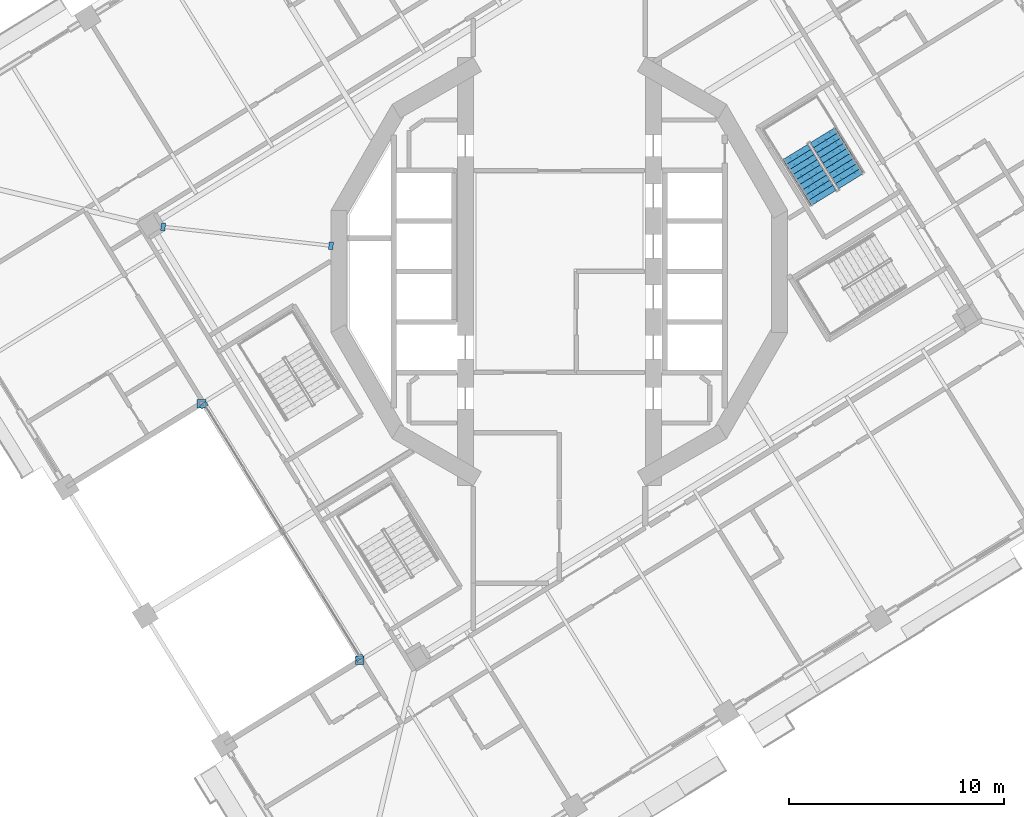
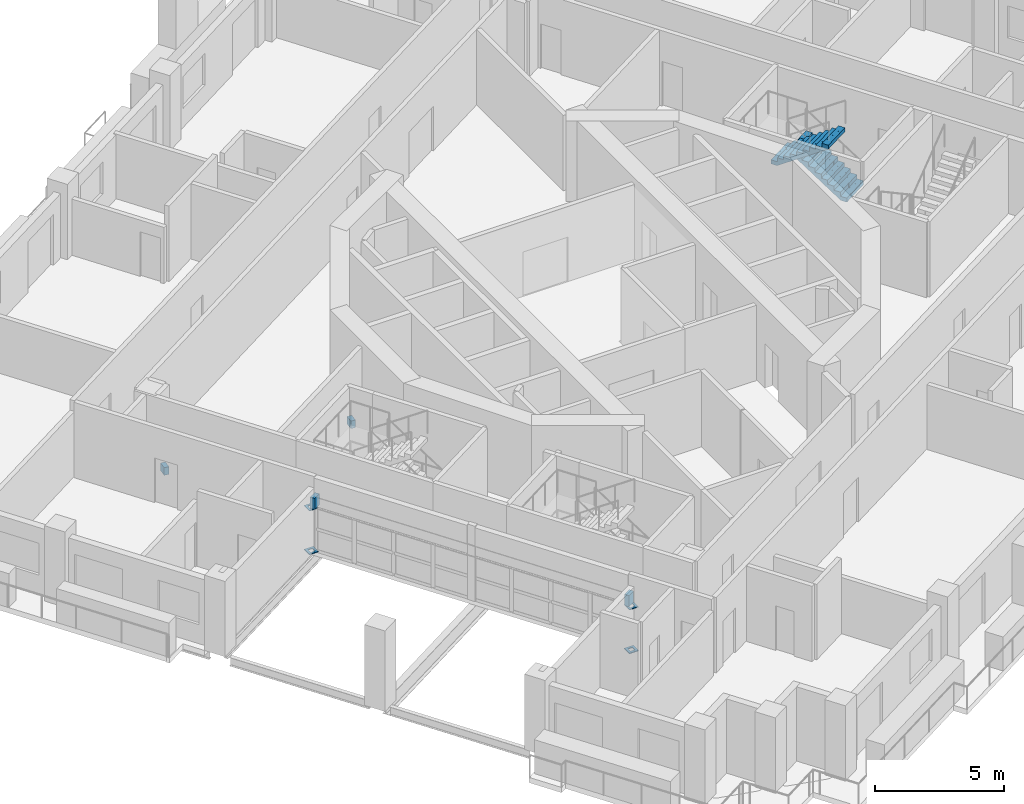
# One storey, part 14 of 22: 8 discrete accessories, 2 stair flights, 1 element without a shape of its own.
"""IFC4 building model written with IfcOpenShell, lengths in metres."""

import ifcopenshell
import ifcopenshell.guid

model = None  # the IFC model being written
_history = None  # IfcOwnerHistory: only IFC2X3 demands one
_inside = {}  # id of a spatial element -> (the spatial element, [elements in it])
_under = {}  # id of a project, library or spatial element -> (it, [spatial elements below it])
_declared = {}  # id of a project -> (the project, [libraries it declares])
_typed = {}  # id of a type object -> (the type object, [elements of that type])
_made_of = {}  # id of a material, layer set ... -> (it, [elements and type objects made of it])


def new_model(schema):
    """Start an empty IFC model of exactly this schema.

    Asked for "IFC4X3", IfcOpenShell would pick the latest addendum, in which some entities
    have other attributes; the version numbers below select the first issue.
    IFC2X3 requires an IfcOwnerHistory on every rooted entity: one is made here for all.
    """
    global model, _history
    if schema == "IFC4X3":
        model = ifcopenshell.file(schema_version=(4, 3, 0, 0))
    else:
        model = ifcopenshell.file(schema=schema)
    _inside.clear()
    _under.clear()
    _declared.clear()
    _typed.clear()
    _made_of.clear()
    _history = None
    if model.schema == "IFC2X3":
        org = make("IfcOrganization", Name="unknown")
        user = make(
            "IfcPersonAndOrganization",
            ThePerson=make("IfcPerson", FamilyName="unknown"),
            TheOrganization=org,
        )
        app = make(
            "IfcApplication",
            ApplicationDeveloper=org,
            Version="unknown",
            ApplicationFullName="unknown",
            ApplicationIdentifier="unknown",
        )
        _history = make(
            "IfcOwnerHistory",
            OwningUser=user,
            OwningApplication=app,
            ChangeAction="ADDED",
            CreationDate=0,
        )
    return model


def make(cls, **values):
    """One entity of the class cls with the attributes given. An attribute that is None is left unset."""
    return model.create_entity(
        cls, **{name: value for name, value in values.items() if value is not None}
    )


def rooted(cls, **values):
    """An entity with a GlobalId (a new one), such as an element, a storey or a relation."""
    return make(cls, GlobalId=ifcopenshell.guid.new(), OwnerHistory=_history, **values)


def si_unit(unit_type, name, prefix=None):
    """IfcSIUnit, for example si_unit("LENGTHUNIT", "METRE", prefix="MILLI")."""
    return make("IfcSIUnit", UnitType=unit_type, Prefix=prefix, Name=name)


def assignment(units):
    """IfcUnitAssignment: the units of a project."""
    return None if units is None else make("IfcUnitAssignment", Units=units)


def point(xyz):
    """IfcCartesianPoint."""
    return None if xyz is None else make("IfcCartesianPoint", Coordinates=xyz)


def direction(xyz):
    """IfcDirection."""
    return None if xyz is None else make("IfcDirection", DirectionRatios=xyz)


def frame(location, z_axis=None, x_axis=None):
    """IfcAxis2Placement3D, a coordinate frame: its origin and axes. An axis left out is left unset."""
    return make(
        "IfcAxis2Placement3D",
        Location=point(location),
        Axis=direction(z_axis),
        RefDirection=direction(x_axis),
    )


def origin():
    """The frame at (0, 0, 0) with its axes left unset."""
    return frame((0.0, 0.0, 0.0))


def place(relative_to, where):
    """IfcLocalPlacement: puts the frame where relative to a parent placement (None: the world)."""
    return make(
        "IfcLocalPlacement", PlacementRelTo=relative_to, RelativePlacement=where
    )


def context(
    kind, dimensions, precision=None, world=None, true_north=None, identifier=None
):
    """IfcGeometricRepresentationContext, for example the 3D "Model" context."""
    return make(
        "IfcGeometricRepresentationContext",
        ContextIdentifier=identifier,
        ContextType=kind,
        CoordinateSpaceDimension=dimensions,
        Precision=precision,
        WorldCoordinateSystem=world,
        TrueNorth=true_north,
    )


def subcontext(parent, identifier, kind, view, scale=None):
    """IfcGeometricRepresentationSubContext, for example "Body" below "Model"."""
    return make(
        "IfcGeometricRepresentationSubContext",
        ContextIdentifier=identifier,
        ContextType=kind,
        ParentContext=parent,
        TargetScale=scale,
        TargetView=view,
    )


def project(units=None, contexts=None):
    """IfcProject with its units and contexts."""
    return rooted(
        "IfcProject",
        Name="project",
        RepresentationContexts=contexts,
        UnitsInContext=assignment(units),
    )


def spatial(cls, under=None, at=None, **own):
    """A site, building, storey or space (cls), placed at a placement, below another one or the project."""
    s = rooted(cls, ObjectPlacement=at, **own)
    if under is not None:
        _under.setdefault(under.id(), (under, []))[1].append(s)
    return s


def polyline(points):
    """IfcPolyline through the points."""
    return make("IfcPolyline", Points=[point(p) for p in points])


def outline(outer, holes=None, kind="AREA"):
    """IfcArbitraryClosedProfileDef: a profile drawn as a closed curve; with holes, ...WithVoids."""
    if holes is None:
        return make("IfcArbitraryClosedProfileDef", ProfileType=kind, OuterCurve=outer)
    return make(
        "IfcArbitraryProfileDefWithVoids",
        ProfileType=kind,
        OuterCurve=outer,
        InnerCurves=holes,
    )


def extrude(swept, where, along, depth):
    """IfcExtrudedAreaSolid: the profile swept, set in the frame where, extruded along a direction by depth."""
    return make(
        "IfcExtrudedAreaSolid",
        SweptArea=swept,
        Position=where,
        ExtrudedDirection=direction(along),
        Depth=depth,
    )


def shape(context_of_items, identifier, shape_type, items):
    """IfcShapeRepresentation: the items that make up one representation, for example the "Body"."""
    return make(
        "IfcShapeRepresentation",
        ContextOfItems=context_of_items,
        RepresentationIdentifier=identifier,
        RepresentationType=shape_type,
        Items=items,
    )


def material(Name=None, Category=None):
    """IfcMaterial."""
    return make("IfcMaterial", Name=Name, Category=Category)


def layer(
    of_material, thickness, ventilated=None, Name=None, Category=None, Priority=None
):
    """IfcMaterialLayer: one layer of a wall or slab, of a material (None: an air gap)."""
    return make(
        "IfcMaterialLayer",
        Material=of_material,
        LayerThickness=thickness,
        IsVentilated=ventilated,
        Name=Name,
        Category=Category,
        Priority=Priority,
    )


def layer_set(layers, Name=None):
    """IfcMaterialLayerSet."""
    return make("IfcMaterialLayerSet", MaterialLayers=layers, LayerSetName=Name)


def made_of(thing, what):
    """Note that an element or type object is made of a material, layer set ...; save() writes the relation."""
    if what is not None:
        _made_of.setdefault(what.id(), (what, []))[1].append(thing)
    return thing


def type_object(cls, material=None, **own):
    """A type object (cls), such as IfcWallType, which elements share."""
    return made_of(rooted(cls, **own), material)


def element(
    cls,
    number,
    at=None,
    inside=None,
    cuts=None,
    type_object=None,
    material=None,
    context=None,
    identifier="Body",
    shape_type=None,
    held_by="IfcProductDefinitionShape",
    body=None,
    shapes=None,
    **own,
):
    """One element of the class cls, such as IfcWall. Its Tag is "e" and its number.

    at: its placement. inside: the storey or other place that contains it. cuts: it is an
    opening in that element (IfcRelVoidsElement). A single representation is given by context,
    identifier, shape_type and body (its items); several are given by shapes. held_by: the class
    of the entity that holds the representations. save() writes the other relations.
    """
    e = rooted(cls, Tag="e%d" % number, ObjectPlacement=at, **own)
    if body is not None:
        shapes = [shape(context, identifier, shape_type, body)]
    if shapes is not None:
        e.Representation = make(held_by, Representations=shapes)
    if inside is not None:
        _inside.setdefault(inside.id(), (inside, []))[1].append(e)
    if cuts is not None:
        rooted(
            "IfcRelVoidsElement", RelatingBuildingElement=cuts, RelatedOpeningElement=e
        )
    if type_object is not None:
        _typed.setdefault(type_object.id(), (type_object, []))[1].append(e)
    return made_of(e, material)


def aggregate(whole, parts):
    """IfcRelAggregates: a whole, such as a stair, and the parts it consists of."""
    return rooted("IfcRelAggregates", RelatingObject=whole, RelatedObjects=parts)


def save(model, path):
    """Write the relations noted so far, then the file.

    IfcRelAggregates (storeys below a building ...), IfcRelContainedInSpatialStructure (elements
    in a storey), IfcRelDefinesByType, IfcRelAssociatesMaterial and IfcRelDeclares: one each for
    every whole, place, type object, material and project.
    """
    for whole, parts in _under.values():
        aggregate(whole, parts)
    for where, things in _inside.values():
        rooted(
            "IfcRelContainedInSpatialStructure",
            RelatedElements=things,
            RelatingStructure=where,
        )
    for kind, things in _typed.values():
        rooted("IfcRelDefinesByType", RelatedObjects=things, RelatingType=kind)
    for what, things in _made_of.values():
        rooted("IfcRelAssociatesMaterial", RelatedObjects=things, RelatingMaterial=what)
    for by, libraries in _declared.values():
        rooted("IfcRelDeclares", RelatingContext=by, RelatedDefinitions=libraries)
    model.write(path)


model = new_model("IFC4")

# Units and contexts
model_context = context("Model", 3, precision=1e-05, world=origin(), true_north=direction((0.0, 1.0)))
body_context = subcontext(model_context, "Body", "Model", "MODEL_VIEW")
ifc_project = project(units=[si_unit("LENGTHUNIT", "METRE"), si_unit("AREAUNIT", "SQUARE_METRE"), si_unit("VOLUMEUNIT", "CUBIC_METRE"), si_unit("PLANEANGLEUNIT", "RADIAN"), si_unit("MASSUNIT", "GRAM", prefix="KILO")], contexts=[model_context])

# Site, building, storey
site_placement = place(None, origin())
site = spatial("IfcSite", under=ifc_project, at=site_placement, CompositionType="ELEMENT")
building_placement = place(site_placement, origin())
building = spatial("IfcBuilding", under=site, at=building_placement, Name="Cantera Rosa Tower", CompositionType="ELEMENT")
storey_placement = place(building_placement, frame((0.0, 0.0, 162.800048828125)))
storey = spatial("IfcBuildingStorey", under=building, at=storey_placement, Name="L35", CompositionType="ELEMENT", Elevation=162.800048828125)

# Stair, stair flights
ifc_material_1 = material(Name="Concrete C35/45", Category="concrete")
stair_type = type_object("IfcStairType", Name="EXIT STAIR 1350 DOGLEG", PredefinedType="HALF_TURN_STAIR", material=ifc_material_1)
stair_placement = place(storey_placement, origin())
stair = element("IfcStair", 1, at=stair_placement, inside=storey, type_object=stair_type, Name="L35 ST-31", PredefinedType="HALF_TURN_STAIR")
ifc_material_2 = material(Name="Concrete C35/45", Category="concrete")
stair_flight_type = type_object("IfcStairFlightType", Name="STAIR FLIGHT 1350 R20x190", PredefinedType="STRAIGHT", material=ifc_material_2)
stair_flight_1_placement = place(storey_placement, frame((13.5732421875, 4.2021484375, 0.0), z_axis=(0.0, 0.0, 1.0), x_axis=(-0.524976585286, 0.851116669383, 0.0)))
stair_flight_1 = element("IfcStairFlight", 2, at=stair_flight_1_placement, type_object=stair_flight_type, Name="ST-31 flight 1", NumberOfRisers=10, NumberOfTreads=9, PredefinedType="STRAIGHT", RiserHeight=0.19, TreadLength=0.28, context=body_context, shape_type="SweptSolid", body=[
    extrude(outline(polyline([(0.0, 0.0), (0.0, 0.18994140625), (0.280029296875, 0.18994140625), (0.280029296875, 0.3798828125), (0.56005859375, 0.3798828125), (0.56005859375, 0.570068359375), (0.840087890625, 0.570068359375), (0.840087890625, 0.760009765625), (1.1201171875, 0.760009765625), (1.1201171875, 0.949951171875), (1.39990234375, 0.949951171875), (1.39990234375, 1.139892578125), (1.679931640625, 1.139892578125), (1.679931640625, 1.330078125), (1.9599609375, 1.330078125), (1.9599609375, 1.52001953125), (2.239990234375, 1.52001953125), (2.239990234375, 1.7099609375), (2.52001953125, 1.7099609375), (2.52001953125, 1.89990234375), (2.52001953125, 1.52880859375), (0.266845703125, 0.0), (0.0, 0.0)])), frame((0.0, 0.675048828125, 0.0), z_axis=(0.0, -1.0, 0.0), x_axis=(1.0, 0.0, 0.0)), (0.0, 0.0, 1.0), 0.3359375),
    extrude(outline(polyline([(0.0, 0.0), (0.0, 0.18994140625), (0.280029296875, 0.18994140625), (0.280029296875, 0.3798828125), (0.56005859375, 0.3798828125), (0.56005859375, 0.570068359375), (0.840087890625, 0.570068359375), (0.840087890625, 0.760009765625), (1.1201171875, 0.760009765625), (1.1201171875, 0.949951171875), (1.39990234375, 0.949951171875), (1.39990234375, 1.139892578125), (1.679931640625, 1.139892578125), (1.679931640625, 1.330078125), (1.9599609375, 1.330078125), (1.9599609375, 1.52001953125), (2.239990234375, 1.52001953125), (2.239990234375, 1.7099609375), (2.52001953125, 1.7099609375), (2.52001953125, 1.89990234375), (2.52001953125, 1.52880859375), (0.266845703125, 0.0), (0.0, 0.0)])), frame((0.0, 0.337158203125, 0.0), z_axis=(0.0, -1.0, 0.0), x_axis=(1.0, 0.0, 0.0)), (0.0, 0.0, 1.0), 0.3359375),
    extrude(outline(polyline([(0.0, 0.0), (0.0, 0.18994140625), (0.280029296875, 0.18994140625), (0.280029296875, 0.3798828125), (0.56005859375, 0.3798828125), (0.56005859375, 0.570068359375), (0.840087890625, 0.570068359375), (0.840087890625, 0.760009765625), (1.1201171875, 0.760009765625), (1.1201171875, 0.949951171875), (1.39990234375, 0.949951171875), (1.39990234375, 1.139892578125), (1.679931640625, 1.139892578125), (1.679931640625, 1.330078125), (1.9599609375, 1.330078125), (1.9599609375, 1.52001953125), (2.239990234375, 1.52001953125), (2.239990234375, 1.7099609375), (2.52001953125, 1.7099609375), (2.52001953125, 1.89990234375), (2.52001953125, 1.52880859375), (0.266845703125, 0.0), (0.0, 0.0)])), frame((0.0, -0.000732421875, 0.0), z_axis=(0.0, -1.0, 0.0), x_axis=(1.0, 0.0, 0.0)), (0.0, 0.0, 1.0), 0.3359375),
    extrude(outline(polyline([(0.0, 0.0), (0.0, 0.18994140625), (0.280029296875, 0.18994140625), (0.280029296875, 0.3798828125), (0.56005859375, 0.3798828125), (0.56005859375, 0.570068359375), (0.840087890625, 0.570068359375), (0.840087890625, 0.760009765625), (1.1201171875, 0.760009765625), (1.1201171875, 0.949951171875), (1.39990234375, 0.949951171875), (1.39990234375, 1.139892578125), (1.679931640625, 1.139892578125), (1.679931640625, 1.330078125), (1.9599609375, 1.330078125), (1.9599609375, 1.52001953125), (2.239990234375, 1.52001953125), (2.239990234375, 1.7099609375), (2.52001953125, 1.7099609375), (2.52001953125, 1.89990234375), (2.52001953125, 1.52880859375), (0.266845703125, 0.0), (0.0, 0.0)])), frame((0.0, -0.338623046875, 0.0), z_axis=(0.0, -1.0, 0.0), x_axis=(1.0, 0.0, 0.0)), (0.0, 0.0, 1.0), 0.3359375),
])
stair_flight_2_placement = place(storey_placement, frame((10.9736328125, 5.5595703125, 1.89990234375), z_axis=(0.0, 0.0, 1.0), x_axis=(0.524976585286, -0.851116669383, 0.0)))
stair_flight_2 = element("IfcStairFlight", 3, at=stair_flight_2_placement, type_object=stair_flight_type, Name="ST-31 flight 2", NumberOfRisers=10, NumberOfTreads=9, PredefinedType="STRAIGHT", RiserHeight=0.19, TreadLength=0.28, context=body_context, shape_type="SweptSolid", body=[
    extrude(outline(polyline([(0.0, 0.0), (0.0, 0.18994140625), (0.280029296875, 0.18994140625), (0.280029296875, 0.3798828125), (0.56005859375, 0.3798828125), (0.56005859375, 0.570068359375), (0.840087890625, 0.570068359375), (0.840087890625, 0.760009765625), (1.1201171875, 0.760009765625), (1.1201171875, 0.949951171875), (1.39990234375, 0.949951171875), (1.39990234375, 1.139892578125), (1.679931640625, 1.139892578125), (1.679931640625, 1.330078125), (1.9599609375, 1.330078125), (1.9599609375, 1.52001953125), (2.239990234375, 1.52001953125), (2.239990234375, 1.7099609375), (2.52001953125, 1.7099609375), (2.52001953125, 1.89990234375), (2.52001953125, 1.52880859375), (0.266845703125, 0.0), (0.0, 0.0)])), frame((0.0, 0.675048828125, 0.0), z_axis=(0.0, -1.0, 0.0), x_axis=(1.0, 0.0, 0.0)), (0.0, 0.0, 1.0), 0.3359375),
    extrude(outline(polyline([(0.0, 0.0), (0.0, 0.18994140625), (0.280029296875, 0.18994140625), (0.280029296875, 0.3798828125), (0.56005859375, 0.3798828125), (0.56005859375, 0.570068359375), (0.840087890625, 0.570068359375), (0.840087890625, 0.760009765625), (1.1201171875, 0.760009765625), (1.1201171875, 0.949951171875), (1.39990234375, 0.949951171875), (1.39990234375, 1.139892578125), (1.679931640625, 1.139892578125), (1.679931640625, 1.330078125), (1.9599609375, 1.330078125), (1.9599609375, 1.52001953125), (2.239990234375, 1.52001953125), (2.239990234375, 1.7099609375), (2.52001953125, 1.7099609375), (2.52001953125, 1.89990234375), (2.52001953125, 1.52880859375), (0.266845703125, 0.0), (0.0, 0.0)])), frame((0.0, 0.337158203125, 0.0), z_axis=(0.0, -1.0, 0.0), x_axis=(1.0, 0.0, 0.0)), (0.0, 0.0, 1.0), 0.3359375),
    extrude(outline(polyline([(0.0, 0.0), (0.0, 0.18994140625), (0.280029296875, 0.18994140625), (0.280029296875, 0.3798828125), (0.56005859375, 0.3798828125), (0.56005859375, 0.570068359375), (0.840087890625, 0.570068359375), (0.840087890625, 0.760009765625), (1.1201171875, 0.760009765625), (1.1201171875, 0.949951171875), (1.39990234375, 0.949951171875), (1.39990234375, 1.139892578125), (1.679931640625, 1.139892578125), (1.679931640625, 1.330078125), (1.9599609375, 1.330078125), (1.9599609375, 1.52001953125), (2.239990234375, 1.52001953125), (2.239990234375, 1.7099609375), (2.52001953125, 1.7099609375), (2.52001953125, 1.89990234375), (2.52001953125, 1.52880859375), (0.266845703125, 0.0), (0.0, 0.0)])), frame((0.0, -0.000732421875, 0.0), z_axis=(0.0, -1.0, 0.0), x_axis=(1.0, 0.0, 0.0)), (0.0, 0.0, 1.0), 0.3359375),
    extrude(outline(polyline([(0.0, 0.0), (0.0, 0.18994140625), (0.280029296875, 0.18994140625), (0.280029296875, 0.3798828125), (0.56005859375, 0.3798828125), (0.56005859375, 0.570068359375), (0.840087890625, 0.570068359375), (0.840087890625, 0.760009765625), (1.1201171875, 0.760009765625), (1.1201171875, 0.949951171875), (1.39990234375, 0.949951171875), (1.39990234375, 1.139892578125), (1.679931640625, 1.139892578125), (1.679931640625, 1.330078125), (1.9599609375, 1.330078125), (1.9599609375, 1.52001953125), (2.239990234375, 1.52001953125), (2.239990234375, 1.7099609375), (2.52001953125, 1.7099609375), (2.52001953125, 1.89990234375), (2.52001953125, 1.52880859375), (0.266845703125, 0.0), (0.0, 0.0)])), frame((0.0, -0.338623046875, 0.0), z_axis=(0.0, -1.0, 0.0), x_axis=(1.0, 0.0, 0.0)), (0.0, 0.0, 1.0), 0.3359375),
])
aggregate(stair, [stair_flight_1, stair_flight_2])

# Discrete accessories
ifc_material_3 = material(Name="Steel ASTM A992 (Fy 345 MPa)", Category="steel")
ifc_layer = layer(ifc_material_3, 0.0400390625)
ifc_layer_set = layer_set([ifc_layer], Name="STEEL BEARING PLATE 40")
discrete_accessory_type = type_object("IfcDiscreteAccessoryType", Name="STEEL BEARING PLATE 40", PredefinedType="ANCHORPLATE", material=ifc_layer_set)
discrete_accessory_1_placement = place(storey_placement, frame((0.0, 0.0, -0.66015625)))
element("IfcDiscreteAccessory", 4, at=discrete_accessory_1_placement, inside=storey, type_object=discrete_accessory_type, Name="BEARING PLATE PG-Z3-01 end 1 L35", PredefinedType="ANCHORPLATE", context=body_context, shape_type="SweptSolid", body=[
    extrude(outline(polyline([(-18.316650390625, 2.242919921875), (-18.515380859375, 2.265380859375), (-18.554931640625, 1.91357421875), (-18.356201171875, 1.89111328125), (-18.316650390625, 2.242919921875)])), origin(), (0.0, 0.0, 1.0), 0.360107421875),
])
discrete_accessory_2_placement = place(storey_placement, frame((0.0, 0.0, -0.66015625)))
element("IfcDiscreteAccessory", 5, at=discrete_accessory_2_placement, inside=storey, type_object=discrete_accessory_type, Name="BEARING PLATE PG-Z3-01 end 2 L35", PredefinedType="ANCHORPLATE", context=body_context, shape_type="SweptSolid", body=[
    extrude(outline(polyline([(-10.744384765625, 1.033203125), (-10.545654296875, 1.0107421875), (-10.506103515625, 1.3623046875), (-10.70458984375, 1.384765625), (-10.744384765625, 1.033203125)])), origin(), (0.0, 0.0, 1.0), 0.360107421875),
])
for number, where, name in (
    (6, (0.0, 0.0, 0.0), "POST PLATE L35-1F"),
    (7, (0.0, 0.0, 2.06591796875), "POST PLATE L35-1T"),
):
    element("IfcDiscreteAccessory", number, at=place(storey_placement, frame(where)), inside=storey, type_object=discrete_accessory_type, Name=name, PredefinedType="ANCHORPLATE", context=body_context, shape_type="SweptSolid", body=[
        extrude(outline(polyline([(-16.85205078125, -6.34716796875), (-16.4521484375, -6.34716796875), (-16.4521484375, -5.947265625), (-16.85205078125, -5.947265625), (-16.85205078125, -6.34716796875)]), holes=[polyline([(-16.752197265625, -6.247314453125), (-16.552001953125, -6.247314453125), (-16.552001953125, -6.047119140625), (-16.752197265625, -6.047119140625), (-16.752197265625, -6.247314453125)])]), origin(), (0.0, 0.0, 1.0), 0.0400390625),
    ])
for number, where, name in (
    (8, (0.0, 0.0, 0.0), "POST PLATE L35-2F"),
    (9, (0.0, 0.0, 2.06591796875), "POST PLATE L35-2T"),
):
    element("IfcDiscreteAccessory", number, at=place(storey_placement, frame(where)), inside=storey, type_object=discrete_accessory_type, Name=name, PredefinedType="ANCHORPLATE", context=body_context, shape_type="SweptSolid", body=[
        extrude(outline(polyline([(-9.4814453125, -18.296875), (-9.081298828125, -18.296875), (-9.081298828125, -17.89697265625), (-9.4814453125, -17.89697265625), (-9.4814453125, -18.296875)]), holes=[polyline([(-9.38134765625, -18.197021484375), (-9.181396484375, -18.197021484375), (-9.181396484375, -17.996826171875), (-9.38134765625, -17.996826171875), (-9.38134765625, -18.197021484375)])]), origin(), (0.0, 0.0, 1.0), 0.0400390625),
    ])
discrete_accessory_3_placement = place(storey_placement, frame((0.0, 0.0, 2.10595703125)))
element("IfcDiscreteAccessory", 10, at=discrete_accessory_3_placement, inside=storey, type_object=discrete_accessory_type, Name="LINTEL PLATE L35-1", PredefinedType="ANCHORPLATE", context=body_context, shape_type="SweptSolid", body=[
    extrude(outline(polyline([(-16.335693359375, -6.21630859375), (-16.440673828125, -6.046142578125), (-16.752197265625, -6.23828125), (-16.647216796875, -6.408447265625), (-16.335693359375, -6.21630859375)])), origin(), (0.0, 0.0, 1.0), 0.528076171875),
])
discrete_accessory_4_placement = place(storey_placement, frame((0.0, 0.0, 2.10595703125)))
element("IfcDiscreteAccessory", 11, at=discrete_accessory_4_placement, inside=storey, type_object=discrete_accessory_type, Name="LINTEL PLATE L35-2", PredefinedType="ANCHORPLATE", context=body_context, shape_type="SweptSolid", body=[
    extrude(outline(polyline([(-9.5126953125, -17.97509765625), (-9.40771484375, -18.1455078125), (-9.09619140625, -17.953369140625), (-9.201171875, -17.782958984375), (-9.5126953125, -17.97509765625)])), origin(), (0.0, 0.0, 1.0), 0.528076171875),
])

save(model, "model.ifc")
